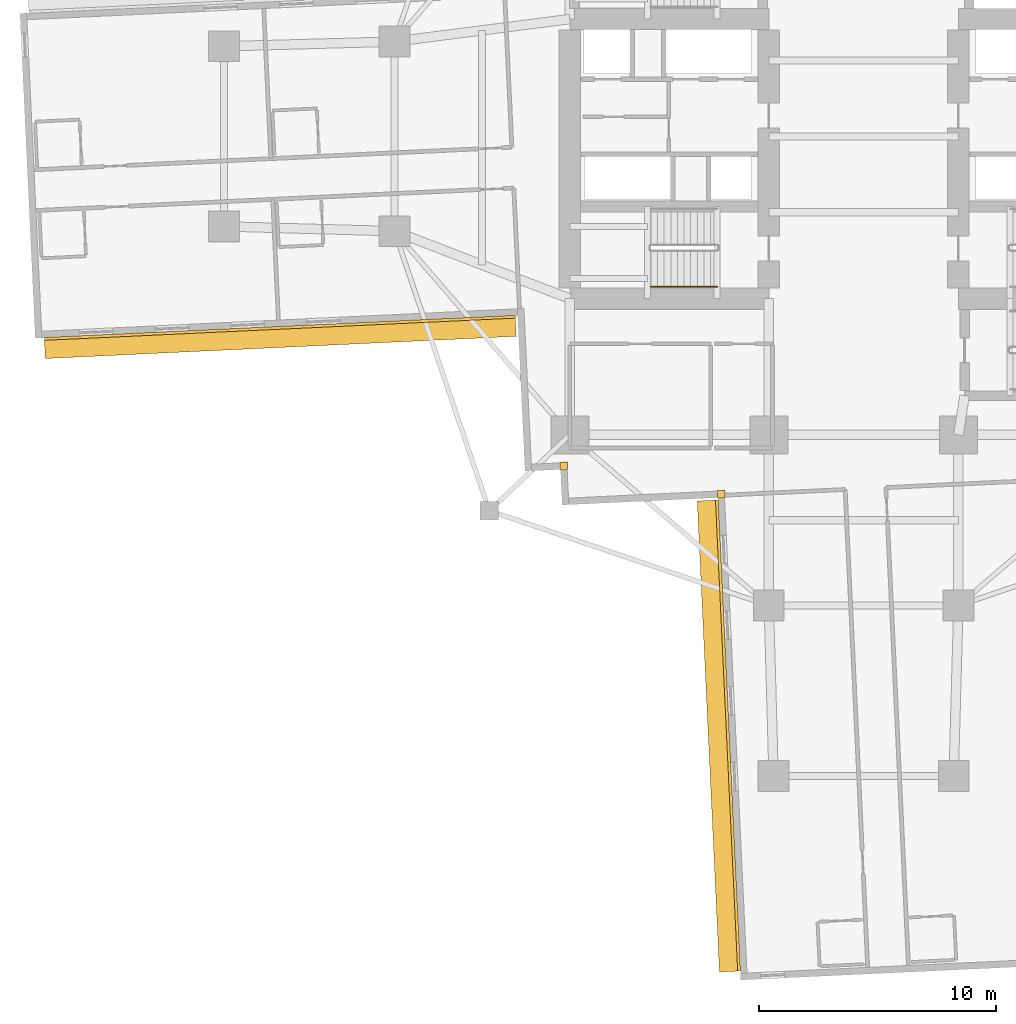
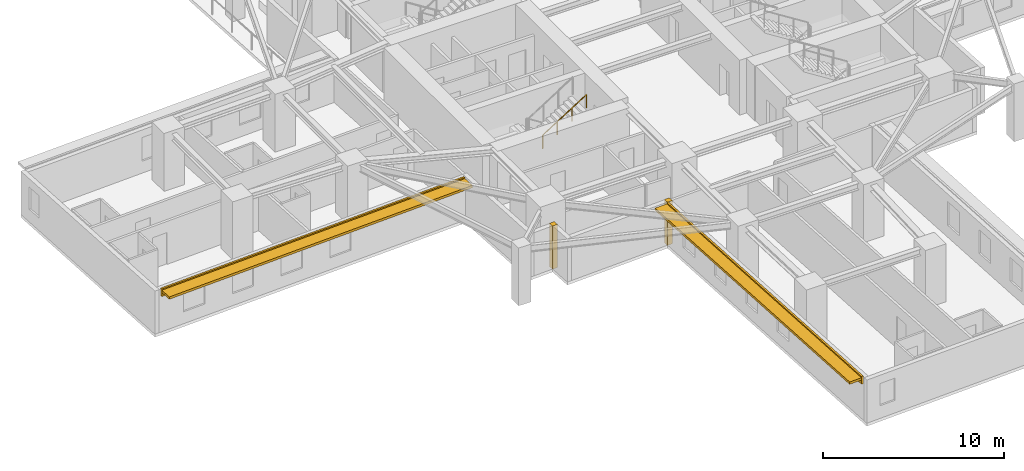
# One storey, part 10 of 14: 4 coverings, 2 shading devices, 1 railing.
"""IFC4 building model written with IfcOpenShell, lengths in metres."""

from ifc_helpers import new_model, si_unit, direction, frame, origin, origin_2d, place, context, subcontext, project, spatial, rectangle, circle, extrude, material, layer, layer_set, type_object, element, save


model = new_model("IFC4")

# Units and contexts
model_context = context("Model", 3, precision=1e-05, world=origin(), true_north=direction((0.0, 1.0)))
body_context = subcontext(model_context, "Body", "Model", "MODEL_VIEW")
ifc_project = project(units=[si_unit("LENGTHUNIT", "METRE"), si_unit("AREAUNIT", "SQUARE_METRE"), si_unit("VOLUMEUNIT", "CUBIC_METRE"), si_unit("PLANEANGLEUNIT", "RADIAN"), si_unit("MASSUNIT", "GRAM", prefix="KILO")], contexts=[model_context])

# Site, building, storey
site_placement = place(None, origin())
site = spatial("IfcSite", under=ifc_project, at=site_placement, CompositionType="ELEMENT")
building_placement = place(site_placement, origin())
building = spatial("IfcBuilding", under=site, at=building_placement, Name="Qingluan Cross Belvedere", CompositionType="ELEMENT")
storey_placement = place(building_placement, frame((0.0, 0.0, 35.39990234375)))
storey = spatial("IfcBuildingStorey", under=building, at=storey_placement, Name="L09", CompositionType="ELEMENT", Elevation=35.39990234375)

# Coverings
ifc_material_1 = material(Name="Precast concrete C45", Category="concrete")
ifc_layer_1 = layer(ifc_material_1, 0.1201171875, Name="ConcreteSpandrelCladding_120")
ifc_layer_set_1 = layer_set([ifc_layer_1], Name="Precast concrete C45")
covering_type = type_object("IfcCoveringType", Name="ConcreteSpandrelCladding_120", PredefinedType="CLADDING", material=ifc_layer_set_1)
for number, where, z_axis, x_axis, name in (
    (1, (-24.63671875, -8.07958984375, 2.4501953125), (0.0, 0.0, 1.0), (0.998889958255, 0.047104684445, 0.0), "Spandrel cladding L09-WB"),
    (2, (-5.72509765625, -25.287841796875, 2.4501953125), (0.0, 0.0, 1.0), (0.04710941444, -0.998889735192, 0.0), "Spandrel cladding L09-SA"),
):
    element("IfcCovering", number, at=place(storey_placement, frame(where, z_axis=z_axis, x_axis=x_axis)), inside=storey, type_object=covering_type, Name=name, PredefinedType="CLADDING", context=body_context, shape_type="SweptSolid", body=[
        extrude(rectangle(XDim=19.89990234375, YDim=0.1201171875, at=origin_2d()), origin(), (0.0, 0.0, 1.0), 0.52001953125),
    ])
for number, where, z_axis, x_axis, name in (
    (3, (-12.65869140625, -13.911865234375, 0.0), (0.0, 0.0, 1.0), (0.998889874962, 0.04710645071, 0.0), "Corner closure L09-SW1"),
    (4, (-6.015380859375, -15.10009765625, 0.0), (0.0, 0.0, 1.0), (0.998889874962, 0.04710645071, 0.0), "Corner closure L09-SW2"),
):
    element("IfcCovering", number, at=place(storey_placement, frame(where, z_axis=z_axis, x_axis=x_axis)), inside=storey, type_object=covering_type, Name=name, PredefinedType="CLADDING", context=body_context, shape_type="SweptSolid", body=[
        extrude(rectangle(XDim=0.320068359375, YDim=0.320068359375, at=origin_2d()), origin(), (0.0, 0.0, 1.0), 2.909912109375),
    ])

# Shading devices
ifc_material_2 = material(Name="Precast concrete C45", Category="concrete")
ifc_layer_2 = layer(ifc_material_2, 0.159912109375, Name="ConcreteSunshadeBand_900")
ifc_layer_set_2 = layer_set([ifc_layer_2], Name="Precast concrete C45")
shading_device_type = type_object("IfcShadingDeviceType", Name="ConcreteSunshadeBand_900", PredefinedType="USERDEFINED", material=ifc_layer_set_2)
for number, where, z_axis, x_axis, name in (
    (5, (-24.618896484375, -8.458984375, 2.72998046875), (0.0, 0.0, 1.0), (0.998889958255, 0.047104684445, 0.0), "Concrete SUNSHADE L09-WB"),
    (6, (-6.104736328125, -25.3056640625, 2.72998046875), (0.0, 0.0, 1.0), (0.04710941444, -0.998889735192, 0.0), "Concrete SUNSHADE L09-SA"),
):
    element("IfcShadingDevice", number, at=place(storey_placement, frame(where, z_axis=z_axis, x_axis=x_axis)), inside=storey, type_object=shading_device_type, Name=name, ObjectType="SUNSHADE", PredefinedType="USERDEFINED", context=body_context, shape_type="SweptSolid", body=[
        extrude(rectangle(XDim=19.89990234375, YDim=0.89990234375, at=origin_2d()), origin(), (0.0, 0.0, 1.0), 0.159912109375),
    ])

# Railing
ifc_material_3 = material(Name="Brushed stainless steel tubular handrail", Category="steel")
railing_type = type_object("IfcRailingType", Name="StairPitchHandrail_900", PredefinedType="HANDRAIL", material=ifc_material_3)
railing_placement = place(storey_placement, frame((-8.97998046875, -6.35009765625, 2.12744140625)))
element("IfcRailing", 7, at=railing_placement, inside=storey, type_object=railing_type, Name="L09 ST1 stair handrail 2", PredefinedType="HANDRAIL", context=body_context, shape_type="SweptSolid", body=[
    extrude(circle(Radius=0.02392578125, at=origin_2d()), frame((0.0, 0.0, 0.8759765625), z_axis=(0.844908973607, 0.0, 0.534910110503), x_axis=(0.0, 1.0, 0.0)), (0.0, 0.0, 1.0), 3.31396484375),
    extrude(circle(Radius=0.02099609375, at=origin_2d()), origin(), (0.0, 0.0, 1.0), 0.851806640625),
    extrude(circle(Radius=0.02099609375, at=origin_2d()), frame((0.933349609375, 0.0, 0.5908203125)), (0.0, 0.0, 1.0), 0.851806640625),
    extrude(circle(Radius=0.02099609375, at=origin_2d()), frame((1.86669921875, 0.0, 1.181884765625)), (0.0, 0.0, 1.0), 0.851806640625),
    extrude(circle(Radius=0.02099609375, at=origin_2d()), frame((2.800048828125, 0.0, 1.772705078125)), (0.0, 0.0, 1.0), 0.851806640625),
])

save(model, "model.ifc")
